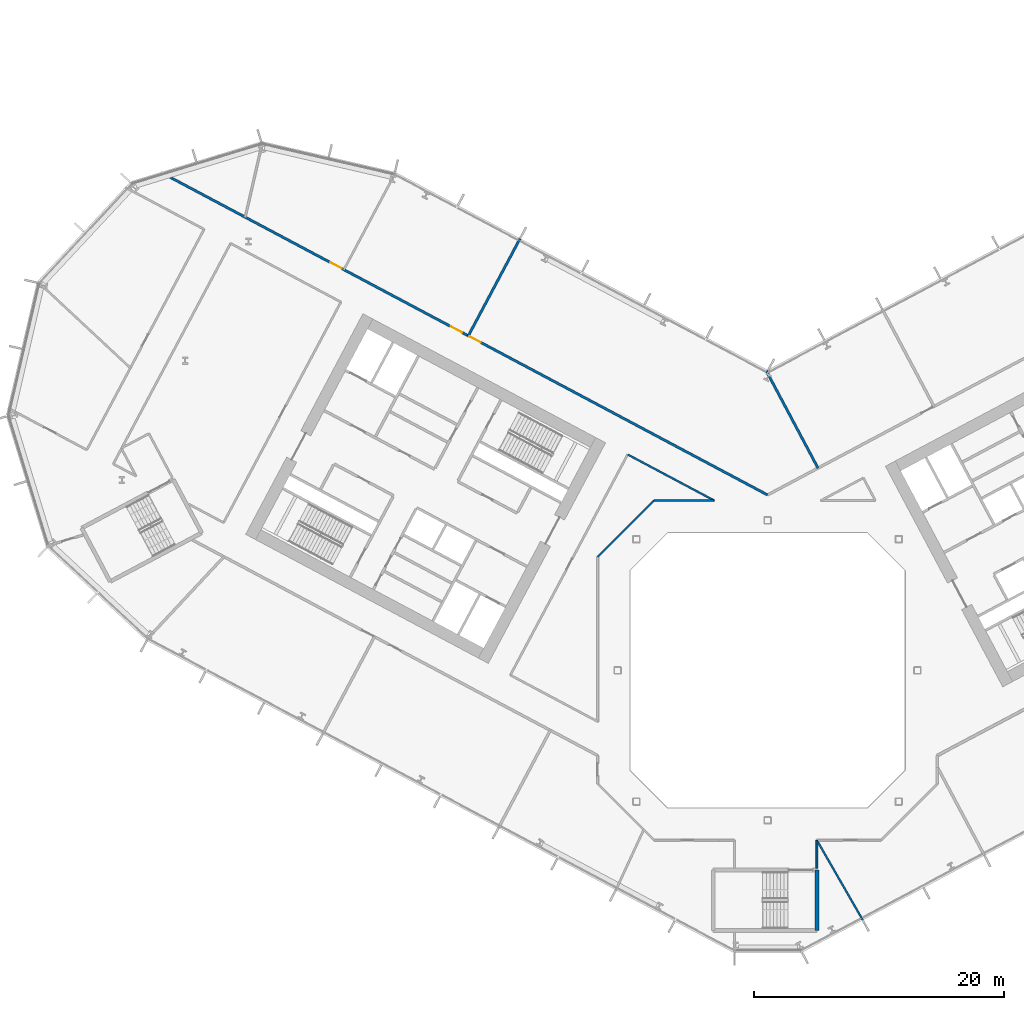
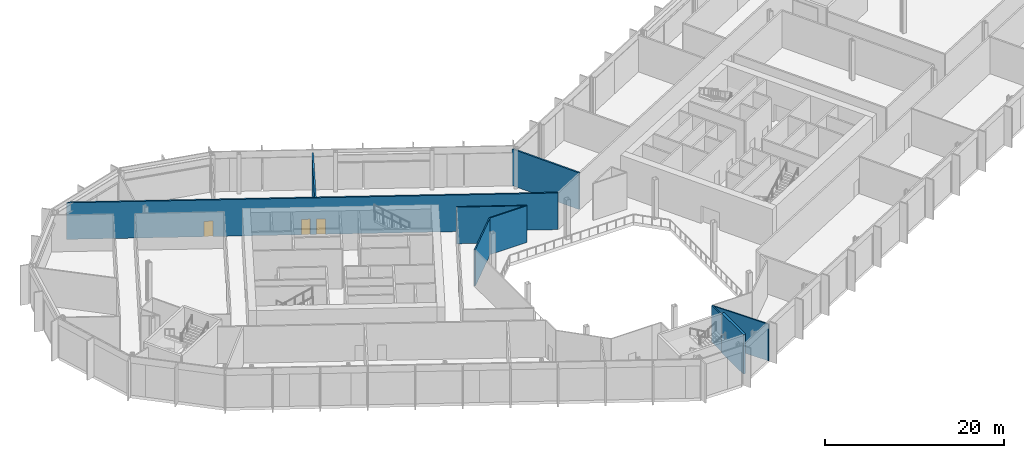
# One storey, part 14 of 32: 9 walls, 3 doors, 3 openings.
"""IFC4 building model written with IfcOpenShell, lengths in metres."""

from ifc_helpers import new_model, si_unit, direction, frame, frame_2d, origin, place, context, subcontext, project, spatial, rectangle, extrude, material, layer, layer_set, type_object, element, fill, save


model = new_model("IFC4")

# Units and contexts
model_context = context("Model", 3, precision=1e-05, world=origin(), true_north=direction((0.0, 1.0)))
body_context = subcontext(model_context, "Body", "Model", "MODEL_VIEW")
ifc_project = project(units=[si_unit("LENGTHUNIT", "METRE"), si_unit("AREAUNIT", "SQUARE_METRE"), si_unit("VOLUMEUNIT", "CUBIC_METRE"), si_unit("PLANEANGLEUNIT", "RADIAN"), si_unit("MASSUNIT", "GRAM", prefix="KILO")], contexts=[model_context])

# Site, building, storey
site_placement = place(None, origin())
site = spatial("IfcSite", under=ifc_project, at=site_placement, CompositionType="ELEMENT")
building_placement = place(site_placement, origin())
building = spatial("IfcBuilding", under=site, at=building_placement, Name="Cormorant Relay Tower", CompositionType="ELEMENT")
storey_placement = place(building_placement, frame((0.0, 0.0, 60.800048828125)))
storey = spatial("IfcBuildingStorey", under=building, at=storey_placement, Name="L11", CompositionType="ELEMENT", Elevation=60.800048828125)

# Wall, openings, doors
ifc_material_1 = material(Name="Fire-rated gypsum board partition")
ifc_layer_1 = layer(ifc_material_1, 0.199951171875)
ifc_layer_set_1 = layer_set([ifc_layer_1], Name="Fire-rated gypsum partition 200")
wall_type_1 = type_object("IfcWallType", Name="Fire-rated gypsum partition 200", PredefinedType="PARTITIONING", material=ifc_layer_set_1)
wall_1_placement = place(storey_placement, frame((-48.541015625, 39.85400390625, 0.0), z_axis=(0.0, 0.0, 1.0), x_axis=(0.882945008423, -0.469476423372, 0.0)))
wall_1 = element("IfcWall", 1, at=wall_1_placement, inside=storey, type_object=wall_type_1, Name="wall/L11/part/8", PredefinedType="PARTITIONING", context=body_context, shape_type="SweptSolid", body=[
    extrude(rectangle(XDim=54.976318359375, YDim=0.199951171875, at=frame_2d((27.48828125, 0.0))), origin(), (0.0, 0.0, 1.0), 5.0),
])
opening_1_placement = place(wall_1_placement, frame((27.965087890625, 0.0, 0.0)))
opening_1 = element("IfcOpeningElement", 2, at=opening_1_placement, cuts=wall_1, Name="Opening FD1-074", PredefinedType="OPENING", context=body_context, shape_type="SweptSolid", body=[
    extrude(rectangle(XDim=1.0, YDim=2.10009765625, at=frame_2d((0.5, 1.050048828125))), frame((0.0, 0.10986328125, 0.0), z_axis=(0.0, -1.0, 0.0), x_axis=(1.0, 0.0, 0.0)), (0.0, 0.0, 1.0), 0.219970703125),
])
opening_2_placement = place(wall_1_placement, frame((26.264892578125, 0.0, 0.0)))
opening_2 = element("IfcOpeningElement", 3, at=opening_2_placement, cuts=wall_1, Name="Opening FD1-060", PredefinedType="OPENING", context=body_context, shape_type="SweptSolid", body=[
    extrude(rectangle(XDim=1.0, YDim=2.10009765625, at=frame_2d((0.5, 1.050048828125))), frame((0.0, 0.10986328125, 0.0), z_axis=(0.0, -1.0, 0.0), x_axis=(1.0, 0.0, 0.0)), (0.0, 0.0, 1.0), 0.219970703125),
])
opening_3_placement = place(wall_1_placement, frame((15.364990234375, 0.0, 0.0)))
opening_3 = element("IfcOpeningElement", 4, at=opening_3_placement, cuts=wall_1, Name="Opening FD1-061", PredefinedType="OPENING", context=body_context, shape_type="SweptSolid", body=[
    extrude(rectangle(XDim=1.0, YDim=2.10009765625, at=frame_2d((0.5, 1.050048828125))), frame((0.0, 0.10986328125, 0.0), z_axis=(0.0, -1.0, 0.0), x_axis=(1.0, 0.0, 0.0)), (0.0, 0.0, 1.0), 0.219970703125),
])
ifc_material_2 = material(Name="Fire-rated steel door", Category="steel")
door_type = type_object("IfcDoorType", Name="Fire door 1000 x 2100", OperationType="SINGLE_SWING_LEFT", PredefinedType="DOOR", material=ifc_material_2)
door_1_placement = place(opening_1_placement, origin())
door_1 = element("IfcDoor", 5, at=door_1_placement, inside=storey, type_object=door_type, Name="door/L11/9", OperationType="SINGLE_SWING_LEFT", OverallHeight=2.10009765625, OverallWidth=1.0, PredefinedType="DOOR", context=body_context, shape_type="SweptSolid", body=[
    extrude(rectangle(XDim=1.0, YDim=2.10009765625, at=frame_2d((0.5, 1.050048828125))), frame((0.0, 0.02490234375, 0.0), z_axis=(0.0, -1.0, 0.0), x_axis=(1.0, 0.0, 0.0)), (0.0, 0.0, 1.0), 0.050048828125),
])
fill(opening_1, door_1)
door_2_placement = place(opening_2_placement, origin())
door_2 = element("IfcDoor", 6, at=door_2_placement, inside=storey, type_object=door_type, Name="door/L11/10", OperationType="SINGLE_SWING_RIGHT", OverallHeight=2.10009765625, OverallWidth=1.0, PredefinedType="DOOR", context=body_context, shape_type="SweptSolid", body=[
    extrude(rectangle(XDim=1.0, YDim=2.10009765625, at=frame_2d((0.5, 1.050048828125))), frame((0.0, 0.02490234375, 0.0), z_axis=(0.0, -1.0, 0.0), x_axis=(1.0, 0.0, 0.0)), (0.0, 0.0, 1.0), 0.050048828125),
])
fill(opening_2, door_2)
door_3_placement = place(opening_3_placement, origin())
door_3 = element("IfcDoor", 7, at=door_3_placement, inside=storey, type_object=door_type, Name="door/L11/11", OperationType="SINGLE_SWING_RIGHT", OverallHeight=2.10009765625, OverallWidth=1.0, PredefinedType="DOOR", context=body_context, shape_type="SweptSolid", body=[
    extrude(rectangle(XDim=1.0, YDim=2.10009765625, at=frame_2d((0.5, 1.050048828125))), frame((0.0, 0.02490234375, 0.0), z_axis=(0.0, -1.0, 0.0), x_axis=(1.0, 0.0, 0.0)), (0.0, 0.0, 1.0), 0.050048828125),
])
fill(opening_3, door_3)

# Walls
wall_2_placement = place(storey_placement, frame((-19.822021484375, 34.550048828125, 0.0), z_axis=(0.0, 0.0, 1.0), x_axis=(-0.469424316479, -0.882972712545, 0.0)))
element("IfcWall", 8, at=wall_2_placement, inside=storey, type_object=wall_type_1, Name="wall/L11/part/20", PredefinedType="PARTITIONING", context=body_context, shape_type="SweptSolid", body=[
    extrude(rectangle(XDim=8.7998046875, YDim=0.199951171875, at=frame_2d((4.39990234375, 0.0))), origin(), (0.0, 0.0, 1.0), 5.0),
])
wall_3_placement = place(storey_placement, frame((-0.10498046875, 23.98388671875, 0.0), z_axis=(0.0, 0.0, 1.0), x_axis=(0.469424872141, -0.882972417132, 0.0)))
element("IfcWall", 9, at=wall_3_placement, inside=storey, type_object=wall_type_1, Name="wall/L11/part/21", PredefinedType="PARTITIONING", context=body_context, shape_type="SweptSolid", body=[
    extrude(rectangle(XDim=8.825927734375, YDim=0.199951171875, at=frame_2d((4.4130859375, 0.0))), origin(), (0.0, 0.0, 1.0), 5.0),
])
ifc_material_3 = material(Name="Gypsum board partition")
ifc_layer_2 = layer(ifc_material_3, 0.14990234375)
ifc_layer_set_2 = layer_set([ifc_layer_2], Name="Gypsum board partition 150")
wall_type_2 = type_object("IfcWallType", Name="Gypsum board partition 150", PredefinedType="PARTITIONING", material=ifc_layer_set_2)
wall_4_placement = place(storey_placement, frame((3.949951171875, -13.60009765625, 0.0), z_axis=(0.0, 0.0, 1.0), x_axis=(0.0, -1.0, 0.0)))
element("IfcWall", 10, at=wall_4_placement, inside=storey, type_object=wall_type_2, Name="wall/L11/part/31", PredefinedType="PARTITIONING", context=body_context, shape_type="SweptSolid", body=[
    extrude(rectangle(XDim=2.239990234375, YDim=0.14990234375, at=frame_2d((1.1201171875, 0.0))), origin(), (0.0, 0.0, 1.0), 5.0),
])
wall_5_placement = place(storey_placement, frame((7.60888671875, -19.965087890625, 0.0), z_axis=(0.0, 0.0, 1.0), x_axis=(-0.498375530061, 0.866961262708, 0.0)))
element("IfcWall", 11, at=wall_5_placement, inside=storey, type_object=wall_type_2, Name="wall/L11/part/35", PredefinedType="PARTITIONING", context=body_context, shape_type="SweptSolid", body=[
    extrude(rectangle(XDim=7.341796875, YDim=0.14990234375, at=frame_2d((3.6708984375, 0.0))), origin(), (0.0, 0.0, 1.0), 5.0),
])
wall_6_placement = place(storey_placement, frame((-11.197998046875, 17.280029296875, 0.0), z_axis=(0.0, 0.0, 1.0), x_axis=(0.882946288452, -0.46947401601, 0.0)))
element("IfcWall", 12, at=wall_6_placement, inside=storey, type_object=wall_type_2, Name="wall/L11/part/59", PredefinedType="PARTITIONING", context=body_context, shape_type="SweptSolid", body=[
    extrude(rectangle(XDim=7.83837890625, YDim=0.14990234375, at=frame_2d((3.919189453125, 0.0))), origin(), (0.0, 0.0, 1.0), 5.0),
])
wall_7_placement = place(storey_placement, frame((-4.277099609375, 13.60009765625, 0.0), z_axis=(0.0, 0.0, 1.0), x_axis=(-1.0, 0.0, 0.0)))
element("IfcWall", 13, at=wall_7_placement, inside=storey, type_object=wall_type_2, Name="wall/L11/part/60", PredefinedType="PARTITIONING", context=body_context, shape_type="SweptSolid", body=[
    extrude(rectangle(XDim=4.7998046875, YDim=0.14990234375, at=frame_2d((2.39990234375, 0.0))), origin(), (0.0, 0.0, 1.0), 5.0),
])
wall_8_placement = place(storey_placement, frame((-9.076904296875, 13.60009765625, 0.0), z_axis=(0.0, 0.0, 1.0), x_axis=(-0.707106781187, -0.707106781187, 0.0)))
element("IfcWall", 14, at=wall_8_placement, inside=storey, type_object=wall_type_2, Name="wall/L11/part/61", PredefinedType="PARTITIONING", context=body_context, shape_type="SweptSolid", body=[
    extrude(rectangle(XDim=6.396728515625, YDim=0.14990234375, at=frame_2d((3.1982421875, 0.0))), origin(), (0.0, 0.0, 1.0), 5.0),
])
ifc_material_4 = material(Name="Concrete 50 MPa", Category="concrete")
ifc_layer_3 = layer(ifc_material_4, 0.300048828125)
ifc_layer_set_3 = layer_set([ifc_layer_3], Name="Remote stair wall 300")
wall_type_3 = type_object("IfcWallType", Name="Remote stair wall 300", PredefinedType="SHEAR", material=ifc_layer_set_3)
wall_9_placement = place(storey_placement, frame((3.949951171875, -15.97509765625, 0.0), z_axis=(0.0, 0.0, 1.0), x_axis=(0.0, -1.0, 0.0)))
element("IfcWall", 15, at=wall_9_placement, inside=storey, type_object=wall_type_3, Name="L11 exit stair RK1 wall", PredefinedType="SHEAR", context=body_context, shape_type="SweptSolid", body=[
    extrude(rectangle(XDim=4.849853515625, YDim=0.300048828125, at=frame_2d((2.4248046875, 0.0))), origin(), (0.0, 0.0, 1.0), 5.39990234375),
])

save(model, "model.ifc")
